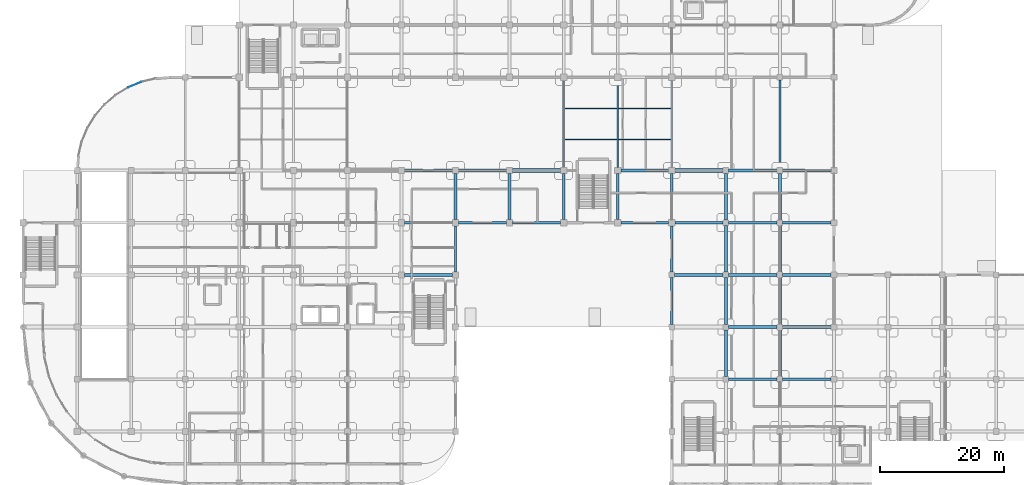
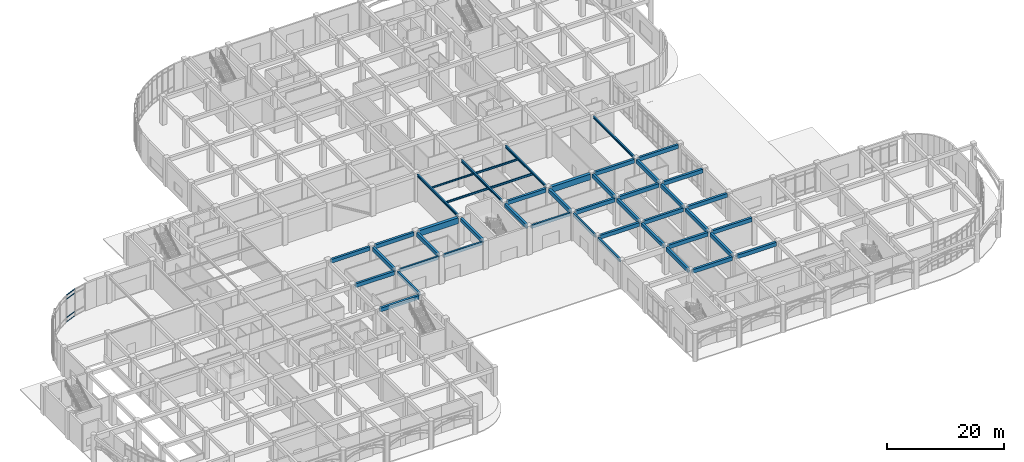
# One storey, part 17 of 82: 46 beams, 4 members, 1 element without a shape of its own.
"""IFC4 building model written with IfcOpenShell, lengths in metres."""

from ifc_helpers import new_model, si_unit, derived_unit, direction, frame, origin, origin_2d, place, context, subcontext, project, spatial, rectangle, hollow_rectangle, i_section, extrude, material, layer, layer_set, material_profile, profile_set, type_object, element, aggregate, save


model = new_model("IFC4")

# Units and contexts
model_context = context("Model", 3, precision=1e-05, world=origin(), true_north=direction((0.0, 1.0)))
body_context = subcontext(model_context, "Body", "Model", "MODEL_VIEW")
ifc_project = project(units=[si_unit("LENGTHUNIT", "METRE"), si_unit("AREAUNIT", "SQUARE_METRE"), si_unit("VOLUMEUNIT", "CUBIC_METRE"), si_unit("PLANEANGLEUNIT", "RADIAN"), si_unit("MASSUNIT", "GRAM", prefix="KILO"), derived_unit("THERMALTRANSMITTANCEUNIT", [(si_unit("MASSUNIT", "GRAM", prefix="KILO"), 1), (si_unit("TIMEUNIT", "SECOND"), -3), (si_unit("THERMODYNAMICTEMPERATUREUNIT", "KELVIN"), -1)])], contexts=[model_context])

# Site, building, storey
site_placement = place(None, origin())
site = spatial("IfcSite", under=ifc_project, at=site_placement, CompositionType="ELEMENT")
building_placement = place(site_placement, origin())
building = spatial("IfcBuilding", under=site, at=building_placement, Name="Qinzheling Arcade Emporium", CompositionType="ELEMENT")
storey_placement = place(building_placement, origin())
storey = spatial("IfcBuildingStorey", under=building, at=storey_placement, Name="L01", CompositionType="ELEMENT", Elevation=0.0)

# Beams
ifc_material_1 = material(Name="Structural steel Q355B", Category="steel")
ifc_material_profile_1 = material_profile(ifc_material_1, i_section(OverallWidth=0.300048828125, OverallDepth=0.488037109375, WebThickness=0.010986328125, FlangeThickness=0.01806640625, FilletRadius=0.02197265625, at=origin_2d()), Name="HM 488x300x11x18", Category="steel")
ifc_profile_set_1 = profile_set([ifc_material_profile_1], Name="Structural steel Q355B")
beam_type_1 = type_object("IfcBeamType", Name="Atrium Bridge Girder HM488 Q355B", PredefinedType="USERDEFINED", material=ifc_profile_set_1)
for number, where, z_axis, x_axis, name in (
    (1, (87.0, 50.89990234375, 5.47607421875), (0.0, 1.0, 0.0), (-1.0, 0.0, 0.0), "Beam BM-L01-Y-11-G"),
    (2, (95.699951171875, 50.89990234375, 5.47607421875), (0.0, 1.0, 0.0), (-1.0, 0.0, 0.0), "Beam BM-L01-Y-12-G"),
    (3, (104.39990234375, 50.89990234375, 5.47607421875), (0.0, 1.0, 0.0), (-1.0, 0.0, 0.0), "Beam BM-L01-Y-13-G"),
):
    element("IfcBeam", number, at=place(storey_placement, frame(where, z_axis=z_axis, x_axis=x_axis)), inside=storey, type_object=beam_type_1, Name=name, ObjectType="TRANSFER_GIRDER", PredefinedType="USERDEFINED", context=body_context, shape_type="SweptSolid", body=[
        extrude(i_section(OverallWidth=0.300048828125, OverallDepth=0.488037109375, WebThickness=0.010986328125, FlangeThickness=0.01806640625, FilletRadius=0.02197265625, at=origin_2d()), origin(), (0.0, 0.0, 1.0), 14.0),
    ])
beam_1_placement = place(storey_placement, frame((121.800048828125, 50.85009765625, 5.47607421875), z_axis=(0.0, 1.0, 0.0), x_axis=(-1.0, 0.0, 0.0)))
element("IfcBeam", 4, at=beam_1_placement, inside=storey, type_object=beam_type_1, Name="Beam BM-L01-Y-15-G", ObjectType="TRANSFER_GIRDER", PredefinedType="USERDEFINED", context=body_context, shape_type="SweptSolid", body=[
    extrude(i_section(OverallWidth=0.300048828125, OverallDepth=0.488037109375, WebThickness=0.010986328125, FlangeThickness=0.01806640625, FilletRadius=0.02197265625, at=origin_2d()), origin(), (0.0, 0.0, 1.0), 14.099853515625),
])
ifc_material_profile_2 = material_profile(ifc_material_1, i_section(OverallWidth=0.175048828125, OverallDepth=0.35009765625, WebThickness=0.007080078125, FlangeThickness=0.010986328125, FilletRadius=0.013916015625, at=origin_2d()), Name="HN 350x175x7x11", Category="steel")
ifc_profile_set_2 = profile_set([ifc_material_profile_2], Name="Structural steel Q355B")
beam_type_2 = type_object("IfcBeamType", Name="Canopy Secondary Joist HN350 Q355B", PredefinedType="JOIST", material=ifc_profile_set_2)
beam_2_placement = place(storey_placement, frame((87.155029296875, 60.39990234375, 5.544921875), z_axis=(1.0, 0.0, 0.0), x_axis=(0.0, 1.0, 0.0)))
element("IfcBeam", 5, at=beam_2_placement, inside=storey, type_object=beam_type_2, Name="Secondary Joist JST-L01-11-2", PredefinedType="JOIST", context=body_context, shape_type="SweptSolid", body=[
    extrude(i_section(OverallWidth=0.175048828125, OverallDepth=0.35009765625, WebThickness=0.007080078125, FlangeThickness=0.010986328125, FilletRadius=0.013916015625, at=origin_2d()), origin(), (0.0, 0.0, 1.0), 8.389892578125),
])

# Curtain wall, members
ifc_material_2 = material(Name="Anodised aluminium and solar-control double glazing", Category="aluminium")
ifc_layer = layer(ifc_material_2, 0.159912109375, Name="Anodised aluminium and solar-control double glazing", Category="aluminium")
ifc_layer_set = layer_set([ifc_layer], Name="Anodised aluminium and solar-control double glazing")
curtain_wall_type = type_object("IfcCurtainWallType", Name="Curved Ribbon Sales Curtain Wall", PredefinedType="NOTDEFINED", material=ifc_layer_set)
curtain_wall_placement = place(storey_placement, origin())
curtain_wall = element("IfcCurtainWall", 6, at=curtain_wall_placement, inside=storey, type_object=curtain_wall_type, Name="Curtain Wall CW-L01-025", PredefinedType="NOTDEFINED")
ifc_material_3 = material(Name="Anodised aluminium 6063-T6", Category="aluminium")
ifc_material_profile_3 = material_profile(ifc_material_3, hollow_rectangle(XDim=0.06005859375, YDim=0.1201171875, WallThickness=0.00390625, InnerFilletRadius=0.00390625, OuterFilletRadius=0.008056640625, at=origin_2d()), Name="RHS 120x60x4", Category="aluminium")
ifc_profile_set_3 = profile_set([ifc_material_profile_3], Name="Anodised aluminium 6063-T6")
member_type = type_object("IfcMemberType", Name="Curtain Wall Transom RHS120x60", PredefinedType="USERDEFINED", material=ifc_profile_set_3)
member_1_placement = place(storey_placement, frame((16.9453125, 63.787841796875, 0.030029296875), z_axis=(0.923847684188, 0.382760311971, 0.0), x_axis=(-0.382760311971, 0.923847684188, 0.0)))
member_1 = element("IfcMember", 7, at=member_1_placement, type_object=member_type, Name="CW02 transom 1.1", ObjectType="TRANSOM", PredefinedType="USERDEFINED", context=body_context, shape_type="SweptSolid", body=[
    extrude(hollow_rectangle(XDim=0.06005859375, YDim=0.1201171875, WallThickness=0.00390625, InnerFilletRadius=0.00390625, OuterFilletRadius=0.008056640625, at=origin_2d()), origin(), (0.0, 0.0, 1.0), 2.234375),
])
member_2_placement = place(storey_placement, frame((16.9453125, 63.787841796875, 0.949951171875), z_axis=(0.923847684188, 0.382760311971, 0.0), x_axis=(-0.382760311971, 0.923847684188, 0.0)))
member_2 = element("IfcMember", 8, at=member_2_placement, type_object=member_type, Name="CW02 transom 1.2", ObjectType="TRANSOM", PredefinedType="USERDEFINED", context=body_context, shape_type="SweptSolid", body=[
    extrude(hollow_rectangle(XDim=0.06005859375, YDim=0.1201171875, WallThickness=0.00390625, InnerFilletRadius=0.00390625, OuterFilletRadius=0.008056640625, at=origin_2d()), origin(), (0.0, 0.0, 1.0), 2.234375),
])
member_3_placement = place(storey_placement, frame((16.9453125, 63.787841796875, 4.81005859375), z_axis=(0.923847684188, 0.382760311971, 0.0), x_axis=(-0.382760311971, 0.923847684188, 0.0)))
member_3 = element("IfcMember", 9, at=member_3_placement, type_object=member_type, Name="CW02 transom 1.3", ObjectType="TRANSOM", PredefinedType="USERDEFINED", context=body_context, shape_type="SweptSolid", body=[
    extrude(hollow_rectangle(XDim=0.06005859375, YDim=0.1201171875, WallThickness=0.00390625, InnerFilletRadius=0.00390625, OuterFilletRadius=0.008056640625, at=origin_2d()), origin(), (0.0, 0.0, 1.0), 2.234375),
])
member_4_placement = place(storey_placement, frame((16.9453125, 63.787841796875, 5.6298828125), z_axis=(0.923847684188, 0.382760311971, 0.0), x_axis=(-0.382760311971, 0.923847684188, 0.0)))
member_4 = element("IfcMember", 10, at=member_4_placement, type_object=member_type, Name="CW02 transom 1.4", ObjectType="TRANSOM", PredefinedType="USERDEFINED", context=body_context, shape_type="SweptSolid", body=[
    extrude(hollow_rectangle(XDim=0.06005859375, YDim=0.1201171875, WallThickness=0.00390625, InnerFilletRadius=0.00390625, OuterFilletRadius=0.008056640625, at=origin_2d()), origin(), (0.0, 0.0, 1.0), 2.234375),
])
aggregate(curtain_wall, [member_1, member_2, member_3, member_4])

# Beams
ifc_material_4 = material(Name="Concrete C40", Category="concrete")
ifc_material_profile_4 = material_profile(ifc_material_4, rectangle(XDim=0.449951171875, YDim=0.800048828125, at=origin_2d()), Name="RC 450x800", Category="concrete")
ifc_profile_set_4 = profile_set([ifc_material_profile_4], Name="Concrete C40")
beam_type_3 = type_object("IfcBeamType", Name="RC Primary Frame Beam 450x800 C40", PredefinedType="BEAM", material=ifc_profile_set_4)
for number, where, z_axis, x_axis, name in (
    (11, (113.550048828125, 16.800048828125, 5.320068359375), (1.0, 0.0, 0.0), (0.0, 1.0, 0.0), "Beam BM-L01-X-C-14"),
    (12, (122.25, 16.800048828125, 5.304931640625), (1.0, 0.0, 0.0), (0.0, 1.0, 0.0), "Beam BM-L01-X-C-15"),
    (13, (113.550048828125, 25.199951171875, 5.320068359375), (1.0, 0.0, 0.0), (0.0, 1.0, 0.0), "Beam BM-L01-X-D-14"),
    (14, (122.25, 25.199951171875, 5.304931640625), (1.0, 0.0, 0.0), (0.0, 1.0, 0.0), "Beam BM-L01-X-D-15"),
):
    element("IfcBeam", number, at=place(storey_placement, frame(where, z_axis=z_axis, x_axis=x_axis)), inside=storey, type_object=beam_type_3, Name=name, PredefinedType="BEAM", context=body_context, shape_type="SweptSolid", body=[
        extrude(rectangle(XDim=0.449951171875, YDim=0.800048828125, at=origin_2d()), origin(), (0.0, 0.0, 1.0), 7.800048828125),
    ])
beam_3_placement = place(storey_placement, frame((61.39990234375, 33.60009765625, 5.320068359375), z_axis=(1.0, 0.0, 0.0), x_axis=(0.0, 1.0, 0.0)))
element("IfcBeam", 15, at=beam_3_placement, inside=storey, type_object=beam_type_3, Name="Beam BM-L01-X-E-8", PredefinedType="BEAM", context=body_context, shape_type="SweptSolid", body=[
    extrude(rectangle(XDim=0.449951171875, YDim=0.800048828125, at=origin_2d()), origin(), (0.0, 0.0, 1.0), 7.7001953125),
])
beam_4_placement = place(storey_placement, frame((104.85009765625, 33.60009765625, 5.320068359375), z_axis=(1.0, 0.0, 0.0), x_axis=(0.0, 1.0, 0.0)))
element("IfcBeam", 16, at=beam_4_placement, inside=storey, type_object=beam_type_3, Name="Beam BM-L01-X-E-13", PredefinedType="BEAM", context=body_context, shape_type="SweptSolid", body=[
    extrude(rectangle(XDim=0.449951171875, YDim=0.800048828125, at=origin_2d()), origin(), (0.0, 0.0, 1.0), 7.7998046875),
])
for number, where, z_axis, x_axis, name in (
    (17, (113.550048828125, 33.60009765625, 5.320068359375), (1.0, 0.0, 0.0), (0.0, 1.0, 0.0), "Beam BM-L01-X-E-14"),
    (18, (122.25, 33.60009765625, 5.320068359375), (1.0, 0.0, 0.0), (0.0, 1.0, 0.0), "Beam BM-L01-X-E-15"),
):
    element("IfcBeam", number, at=place(storey_placement, frame(where, z_axis=z_axis, x_axis=x_axis)), inside=storey, type_object=beam_type_3, Name=name, PredefinedType="BEAM", context=body_context, shape_type="SweptSolid", body=[
        extrude(rectangle(XDim=0.449951171875, YDim=0.800048828125, at=origin_2d()), origin(), (0.0, 0.0, 1.0), 7.800048828125),
    ])
beam_5_placement = place(storey_placement, frame((61.39990234375, 42.0, 5.320068359375), z_axis=(1.0, 0.0, 0.0), x_axis=(0.0, 1.0, 0.0)))
element("IfcBeam", 19, at=beam_5_placement, inside=storey, type_object=beam_type_3, Name="Beam BM-L01-X-F-8", PredefinedType="BEAM", context=body_context, shape_type="SweptSolid", body=[
    extrude(rectangle(XDim=0.449951171875, YDim=0.800048828125, at=origin_2d()), origin(), (0.0, 0.0, 1.0), 7.7001953125),
])
beam_6_placement = place(storey_placement, frame((104.89990234375, 42.0, 5.320068359375), z_axis=(1.0, 0.0, 0.0), x_axis=(0.0, 1.0, 0.0)))
element("IfcBeam", 20, at=beam_6_placement, inside=storey, type_object=beam_type_3, Name="Beam BM-L01-X-F-13", PredefinedType="BEAM", context=body_context, shape_type="SweptSolid", body=[
    extrude(rectangle(XDim=0.449951171875, YDim=0.800048828125, at=origin_2d()), origin(), (0.0, 0.0, 1.0), 7.75),
])
for number, where, z_axis, x_axis, name in (
    (21, (113.550048828125, 42.0, 5.320068359375), (1.0, 0.0, 0.0), (0.0, 1.0, 0.0), "Beam BM-L01-X-F-14"),
    (22, (122.25, 42.0, 5.320068359375), (1.0, 0.0, 0.0), (0.0, 1.0, 0.0), "Beam BM-L01-X-F-15"),
):
    element("IfcBeam", number, at=place(storey_placement, frame(where, z_axis=z_axis, x_axis=x_axis)), inside=storey, type_object=beam_type_3, Name=name, PredefinedType="BEAM", context=body_context, shape_type="SweptSolid", body=[
        extrude(rectangle(XDim=0.449951171875, YDim=0.800048828125, at=origin_2d()), origin(), (0.0, 0.0, 1.0), 7.800048828125),
    ])
beam_7_placement = place(storey_placement, frame((61.39990234375, 50.39990234375, 5.320068359375), z_axis=(1.0, 0.0, 0.0), x_axis=(0.0, 1.0, 0.0)))
element("IfcBeam", 23, at=beam_7_placement, inside=storey, type_object=beam_type_3, Name="Beam BM-L01-X-G-8", PredefinedType="BEAM", context=body_context, shape_type="SweptSolid", body=[
    extrude(rectangle(XDim=0.449951171875, YDim=0.800048828125, at=origin_2d()), origin(), (0.0, 0.0, 1.0), 7.7001953125),
])
for number, where, z_axis, x_axis, name in (
    (24, (70.10009765625, 50.39990234375, 5.320068359375), (1.0, 0.0, 0.0), (0.0, 1.0, 0.0), "Beam BM-L01-X-G-9"),
    (25, (96.199951171875, 50.39990234375, 5.320068359375), (1.0, 0.0, 0.0), (0.0, 1.0, 0.0), "Beam BM-L01-X-G-12"),
):
    element("IfcBeam", number, at=place(storey_placement, frame(where, z_axis=z_axis, x_axis=x_axis)), inside=storey, type_object=beam_type_3, Name=name, PredefinedType="BEAM", context=body_context, shape_type="SweptSolid", body=[
        extrude(rectangle(XDim=0.449951171875, YDim=0.800048828125, at=origin_2d()), origin(), (0.0, 0.0, 1.0), 7.699951171875),
    ])
for number, where, z_axis, x_axis, name in (
    (26, (113.550048828125, 50.39990234375, 5.320068359375), (1.0, 0.0, 0.0), (0.0, 1.0, 0.0), "Beam BM-L01-X-G-14"),
    (27, (122.25, 50.39990234375, 5.320068359375), (1.0, 0.0, 0.0), (0.0, 1.0, 0.0), "Beam BM-L01-X-G-15"),
):
    element("IfcBeam", number, at=place(storey_placement, frame(where, z_axis=z_axis, x_axis=x_axis)), inside=storey, type_object=beam_type_3, Name=name, PredefinedType="BEAM", context=body_context, shape_type="SweptSolid", body=[
        extrude(rectangle(XDim=0.449951171875, YDim=0.800048828125, at=origin_2d()), origin(), (0.0, 0.0, 1.0), 7.800048828125),
    ])
for number, where, z_axis, x_axis, name in (
    (28, (69.60009765625, 42.5, 5.320068359375), (0.0, 1.0, 0.0), (-1.0, 0.0, 0.0), "Beam BM-L01-Y-9-F"),
    (29, (78.300048828125, 42.5, 5.320068359375), (0.0, 1.0, 0.0), (-1.0, 0.0, 0.0), "Beam BM-L01-Y-10-F"),
    (30, (87.0, 42.5, 5.320068359375), (0.0, 1.0, 0.0), (-1.0, 0.0, 0.0), "Beam BM-L01-Y-11-F"),
    (31, (95.699951171875, 42.5, 5.320068359375), (0.0, 1.0, 0.0), (-1.0, 0.0, 0.0), "Beam BM-L01-Y-12-F"),
    (32, (104.39990234375, 42.5, 5.320068359375), (0.0, 1.0, 0.0), (-1.0, 0.0, 0.0), "Beam BM-L01-Y-13-F"),
):
    element("IfcBeam", number, at=place(storey_placement, frame(where, z_axis=z_axis, x_axis=x_axis)), inside=storey, type_object=beam_type_3, Name=name, PredefinedType="BEAM", context=body_context, shape_type="SweptSolid", body=[
        extrude(rectangle(XDim=0.449951171875, YDim=0.800048828125, at=origin_2d()), origin(), (0.0, 0.0, 1.0), 7.39990234375),
    ])
for number, where, z_axis, x_axis, name in (
    (33, (113.10009765625, 17.25, 5.320068359375), (0.0, 1.0, 0.0), (-1.0, 0.0, 0.0), "Beam BM-L01-Y-14-C"),
    (34, (113.10009765625, 25.64990234375, 5.320068359375), (0.0, 1.0, 0.0), (-1.0, 0.0, 0.0), "Beam BM-L01-Y-14-D"),
    (35, (113.10009765625, 34.050048828125, 5.320068359375), (0.0, 1.0, 0.0), (-1.0, 0.0, 0.0), "Beam BM-L01-Y-14-E"),
    (36, (113.10009765625, 42.449951171875, 5.320068359375), (0.0, 1.0, 0.0), (-1.0, 0.0, 0.0), "Beam BM-L01-Y-14-F"),
    (37, (121.800048828125, 17.25, 5.320068359375), (0.0, 1.0, 0.0), (-1.0, 0.0, 0.0), "Beam BM-L01-Y-15-C"),
    (38, (121.800048828125, 25.64990234375, 5.320068359375), (0.0, 1.0, 0.0), (-1.0, 0.0, 0.0), "Beam BM-L01-Y-15-D"),
    (39, (121.800048828125, 34.050048828125, 5.320068359375), (0.0, 1.0, 0.0), (-1.0, 0.0, 0.0), "Beam BM-L01-Y-15-E"),
    (40, (121.800048828125, 42.449951171875, 5.320068359375), (0.0, 1.0, 0.0), (-1.0, 0.0, 0.0), "Beam BM-L01-Y-15-F"),
):
    element("IfcBeam", number, at=place(storey_placement, frame(where, z_axis=z_axis, x_axis=x_axis)), inside=storey, type_object=beam_type_3, Name=name, PredefinedType="BEAM", context=body_context, shape_type="SweptSolid", body=[
        extrude(rectangle(XDim=0.449951171875, YDim=0.800048828125, at=origin_2d()), origin(), (0.0, 0.0, 1.0), 7.5),
    ])
ifc_material_profile_5 = material_profile(ifc_material_4, rectangle(XDim=0.35009765625, YDim=0.64990234375, at=origin_2d()), Name="RC 350x650", Category="concrete")
ifc_profile_set_5 = profile_set([ifc_material_profile_5], Name="Concrete C40")
beam_type_4 = type_object("IfcBeamType", Name="RC Spandrel Edge Beam 350x650 C40", PredefinedType="SPANDREL", material=ifc_profile_set_5)
for number, where, z_axis, x_axis, name in (
    (41, (70.10009765625, 42.0, 5.39501953125), (1.0, 0.0, 0.0), (0.0, 1.0, 0.0), "Beam BM-L01-X-F-9"),
    (42, (78.800048828125, 42.0, 5.39501953125), (1.0, 0.0, 0.0), (0.0, 1.0, 0.0), "Beam BM-L01-X-F-10"),
    (43, (96.199951171875, 42.0, 5.39501953125), (1.0, 0.0, 0.0), (0.0, 1.0, 0.0), "Beam BM-L01-X-F-12"),
):
    element("IfcBeam", number, at=place(storey_placement, frame(where, z_axis=z_axis, x_axis=x_axis)), inside=storey, type_object=beam_type_4, Name=name, PredefinedType="SPANDREL", context=body_context, shape_type="SweptSolid", body=[
        extrude(rectangle(XDim=0.35009765625, YDim=0.64990234375, at=origin_2d()), origin(), (0.0, 0.0, 1.0), 7.699951171875),
    ])
beam_8_placement = place(storey_placement, frame((69.60009765625, 34.10009765625, 5.39501953125), z_axis=(0.0, 1.0, 0.0), x_axis=(-1.0, 0.0, 0.0)))
element("IfcBeam", 44, at=beam_8_placement, inside=storey, type_object=beam_type_4, Name="Beam BM-L01-Y-9-E", PredefinedType="SPANDREL", context=body_context, shape_type="SweptSolid", body=[
    extrude(rectangle(XDim=0.35009765625, YDim=0.64990234375, at=origin_2d()), origin(), (0.0, 0.0, 1.0), 7.39990234375),
])
beam_9_placement = place(storey_placement, frame((104.39990234375, 25.64990234375, 5.39501953125), z_axis=(0.0, 1.0, 0.0), x_axis=(-1.0, 0.0, 0.0)))
element("IfcBeam", 45, at=beam_9_placement, inside=storey, type_object=beam_type_4, Name="Beam BM-L01-Y-13-D", PredefinedType="SPANDREL", context=body_context, shape_type="SweptSolid", body=[
    extrude(rectangle(XDim=0.35009765625, YDim=0.64990234375, at=origin_2d()), origin(), (0.0, 0.0, 1.0), 7.5),
])
beam_10_placement = place(storey_placement, frame((104.39990234375, 34.050048828125, 5.39501953125), z_axis=(0.0, 1.0, 0.0), x_axis=(-1.0, 0.0, 0.0)))
element("IfcBeam", 46, at=beam_10_placement, inside=storey, type_object=beam_type_4, Name="Beam BM-L01-Y-13-E", PredefinedType="SPANDREL", context=body_context, shape_type="SweptSolid", body=[
    extrude(rectangle(XDim=0.35009765625, YDim=0.64990234375, at=origin_2d()), origin(), (0.0, 0.0, 1.0), 7.449951171875),
])
ifc_material_profile_6 = material_profile(ifc_material_4, rectangle(XDim=0.60009765625, YDim=1.199951171875, at=origin_2d()), Name="RC 600x1200", Category="concrete")
ifc_profile_set_6 = profile_set([ifc_material_profile_6], Name="Concrete C40")
beam_type_5 = type_object("IfcBeamType", Name="RC Transfer Girder 600x1200 C40", PredefinedType="USERDEFINED", material=ifc_profile_set_6)
beam_11_placement = place(storey_placement, frame((78.800048828125, 50.39990234375, 5.1201171875), z_axis=(1.0, 0.0, 0.0), x_axis=(0.0, 1.0, 0.0)))
element("IfcBeam", 47, at=beam_11_placement, inside=storey, type_object=beam_type_5, Name="Beam BM-L01-X-G-10", ObjectType="TRANSFER_GIRDER", PredefinedType="USERDEFINED", context=body_context, shape_type="SweptSolid", body=[
    extrude(rectangle(XDim=0.60009765625, YDim=1.199951171875, at=origin_2d()), origin(), (0.0, 0.0, 1.0), 7.699951171875),
])
beam_12_placement = place(storey_placement, frame((104.89990234375, 50.39990234375, 5.1201171875), z_axis=(1.0, 0.0, 0.0), x_axis=(0.0, 1.0, 0.0)))
element("IfcBeam", 48, at=beam_12_placement, inside=storey, type_object=beam_type_5, Name="Beam BM-L01-X-G-13", ObjectType="TRANSFER_GIRDER", PredefinedType="USERDEFINED", context=body_context, shape_type="SweptSolid", body=[
    extrude(rectangle(XDim=0.60009765625, YDim=1.199951171875, at=origin_2d()), origin(), (0.0, 0.0, 1.0), 7.75),
])
ifc_material_profile_7 = material_profile(ifc_material_1, i_section(OverallWidth=0.199951171875, OverallDepth=0.449951171875, WebThickness=0.009033203125, FlangeThickness=0.013916015625, FilletRadius=0.01611328125, at=origin_2d()), Name="HN 450x200x9x14", Category="steel")
ifc_profile_set_7 = profile_set([ifc_material_profile_7], Name="Structural steel Q355B")
beam_type_6 = type_object("IfcBeamType", Name="Secondary Floor Joist HN450 Q355B", PredefinedType="JOIST", material=ifc_profile_set_7)
beam_13_placement = place(storey_placement, frame((95.85498046875, 55.39990234375, 5.4951171875), z_axis=(1.0, 0.0, 0.0), x_axis=(0.0, 1.0, 0.0)))
element("IfcBeam", 49, at=beam_13_placement, inside=storey, type_object=beam_type_6, Name="Secondary Joist JST-L01-12-1", PredefinedType="JOIST", context=body_context, shape_type="SweptSolid", body=[
    extrude(i_section(OverallWidth=0.199951171875, OverallDepth=0.449951171875, WebThickness=0.009033203125, FlangeThickness=0.013916015625, FilletRadius=0.01611328125, at=origin_2d()), origin(), (0.0, 0.0, 1.0), 8.39013671875),
])
ifc_material_profile_8 = material_profile(ifc_material_1, i_section(OverallWidth=0.199951171875, OverallDepth=0.39990234375, WebThickness=0.008056640625, FlangeThickness=0.012939453125, FilletRadius=0.01611328125, at=origin_2d()), Name="HN 400x200x8x13", Category="steel")
ifc_profile_set_8 = profile_set([ifc_material_profile_8], Name="Structural steel Q355B")
beam_type_7 = type_object("IfcBeamType", Name="Storm Eave Outlooker Joist HN400 Q355B", PredefinedType="JOIST", material=ifc_profile_set_8)
beam_14_placement = place(storey_placement, frame((87.155029296875, 55.39990234375, 5.52001953125), z_axis=(1.0, 0.0, 0.0), x_axis=(0.0, 1.0, 0.0)))
element("IfcBeam", 50, at=beam_14_placement, inside=storey, type_object=beam_type_7, Name="Secondary Joist JST-L01-11-1", PredefinedType="JOIST", context=body_context, shape_type="SweptSolid", body=[
    extrude(i_section(OverallWidth=0.199951171875, OverallDepth=0.39990234375, WebThickness=0.008056640625, FlangeThickness=0.012939453125, FilletRadius=0.01611328125, at=origin_2d()), origin(), (0.0, 0.0, 1.0), 8.389892578125),
])
beam_15_placement = place(storey_placement, frame((95.85498046875, 60.39990234375, 5.52001953125), z_axis=(1.0, 0.0, 0.0), x_axis=(0.0, 1.0, 0.0)))
element("IfcBeam", 51, at=beam_15_placement, inside=storey, type_object=beam_type_7, Name="Secondary Joist JST-L01-12-2", PredefinedType="JOIST", context=body_context, shape_type="SweptSolid", body=[
    extrude(i_section(OverallWidth=0.199951171875, OverallDepth=0.39990234375, WebThickness=0.008056640625, FlangeThickness=0.012939453125, FilletRadius=0.01611328125, at=origin_2d()), origin(), (0.0, 0.0, 1.0), 8.39013671875),
])

save(model, "model.ifc")
